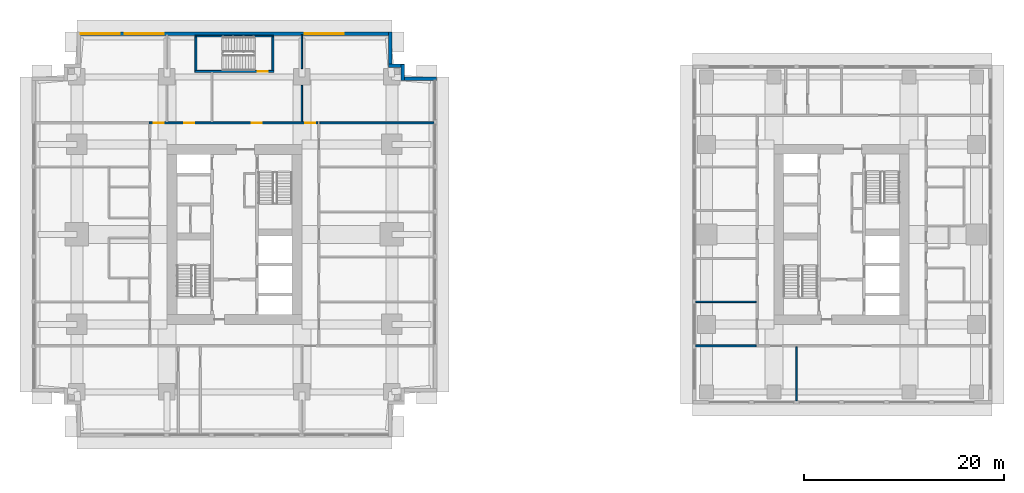
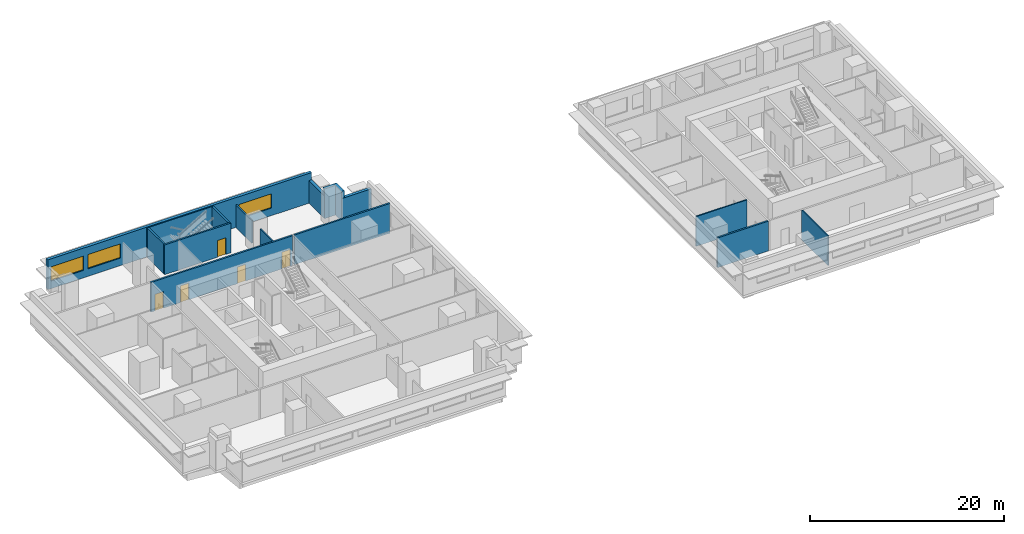
# One storey, part 5 of 11: 16 walls, 5 doors, 3 windows, 8 openings.
"""IFC4 building model written with IfcOpenShell, lengths in metres."""

from ifc_helpers import new_model, si_unit, direction, frame, frame_2d, origin, place, context, subcontext, project, spatial, rectangle, extrude, material, layer, layer_set, type_object, element, fill, save


model = new_model("IFC4")

# Units and contexts
model_context = context("Model", 3, precision=1e-05, world=origin(), true_north=direction((0.0, 1.0)))
body_context = subcontext(model_context, "Body", "Model", "MODEL_VIEW")
ifc_project = project(units=[si_unit("LENGTHUNIT", "METRE"), si_unit("AREAUNIT", "SQUARE_METRE"), si_unit("VOLUMEUNIT", "CUBIC_METRE"), si_unit("PLANEANGLEUNIT", "RADIAN"), si_unit("MASSUNIT", "GRAM", prefix="KILO")], contexts=[model_context])

# Site, building, storey
site_placement = place(None, origin())
site = spatial("IfcSite", under=ifc_project, at=site_placement, CompositionType="ELEMENT")
building_placement = place(site_placement, origin())
building = spatial("IfcBuilding", under=site, at=building_placement, Name="Namib Vertical Campus", CompositionType="ELEMENT")
storey_placement = place(building_placement, frame((0.0, 0.0, 181.0)))
storey = spatial("IfcBuildingStorey", under=building, at=storey_placement, Name="L42", CompositionType="ELEMENT", Elevation=181.0)

# Wall, openings, doors
ifc_material_1 = material(Name="Concrete masonry", Category="masonry")
ifc_layer_1 = layer(ifc_material_1, 0.199951171875)
ifc_layer_set_1 = layer_set([ifc_layer_1], Name="Corridor wall 200")
wall_type_1 = type_object("IfcWallType", Name="Corridor wall 200", PredefinedType="SOLIDWALL", material=ifc_layer_set_1)
wall_1_placement = place(storey_placement, frame((28.60009765625, 31.39990234375, 0.0), z_axis=(0.0, 0.0, 1.0), x_axis=(-1.0, 0.0, 0.0)))
wall_1 = element("IfcWall", 1, at=wall_1_placement, inside=storey, type_object=wall_type_1, Name="Corridor wall A L42 CN", PredefinedType="SOLIDWALL", context=body_context, shape_type="SweptSolid", body=[
    extrude(rectangle(XDim=16.900146484375, YDim=0.199951171875, at=frame_2d((8.4501953125, 0.0))), origin(), (0.0, 0.0, 1.0), 3.75),
])
opening_1_placement = place(wall_1_placement, frame((15.425048828125, 0.0, 0.0)))
opening_1 = element("IfcOpeningElement", 2, at=opening_1_placement, cuts=wall_1, Name="Opening CD1", PredefinedType="OPENING", context=body_context, shape_type="SweptSolid", body=[
    extrude(rectangle(XDim=1.0, YDim=2.10009765625, at=frame_2d((0.5, 1.050048828125))), frame((0.0, 0.10986328125, 0.0), z_axis=(0.0, -1.0, 0.0), x_axis=(1.0, 0.0, 0.0)), (0.0, 0.0, 1.0), 0.219970703125),
])
opening_2_placement = place(wall_1_placement, frame((12.35009765625, 0.0, 0.0)))
opening_2 = element("IfcOpeningElement", 3, at=opening_2_placement, cuts=wall_1, Name="Opening CD1", PredefinedType="OPENING", context=body_context, shape_type="SweptSolid", body=[
    extrude(rectangle(XDim=1.0, YDim=2.10009765625, at=frame_2d((0.5, 1.050048828125))), frame((0.0, 0.10986328125, 0.0), z_axis=(0.0, -1.0, 0.0), x_axis=(1.0, 0.0, 0.0)), (0.0, 0.0, 1.0), 0.219970703125),
])
opening_3_placement = place(wall_1_placement, frame((5.60009765625, 0.0, 0.0)))
opening_3 = element("IfcOpeningElement", 4, at=opening_3_placement, cuts=wall_1, Name="Opening CD4", PredefinedType="OPENING", context=body_context, shape_type="SweptSolid", body=[
    extrude(rectangle(XDim=1.0, YDim=2.10009765625, at=frame_2d((0.5, 1.050048828125))), frame((0.0, 0.10986328125, 0.0), z_axis=(0.0, -1.0, 0.0), x_axis=(1.0, 0.0, 0.0)), (0.0, 0.0, 1.0), 0.219970703125),
])
opening_4_placement = place(wall_1_placement, frame((0.27490234375, 0.0, 0.0)))
opening_4 = element("IfcOpeningElement", 5, at=opening_4_placement, cuts=wall_1, Name="Opening CD1", PredefinedType="OPENING", context=body_context, shape_type="SweptSolid", body=[
    extrude(rectangle(XDim=1.0, YDim=2.10009765625, at=frame_2d((0.5, 1.050048828125))), frame((0.0, 0.10986328125, 0.0), z_axis=(0.0, -1.0, 0.0), x_axis=(1.0, 0.0, 0.0)), (0.0, 0.0, 1.0), 0.219970703125),
])
ifc_material_2 = material(Name="Timber fire door leaf", Category="wood")
door_type_1 = type_object("IfcDoorType", Name="Corridor door 1000x2100 20 min", OperationType="SINGLE_SWING_LEFT", PredefinedType="DOOR", material=ifc_material_2)
door_1_placement = place(opening_1_placement, frame((1.0, 0.0, 0.0), z_axis=(0.0, 0.0, 1.0), x_axis=(-1.0, 0.0, 0.0)))
door_1 = element("IfcDoor", 6, at=door_1_placement, inside=storey, type_object=door_type_1, Name="Door CD1 A42-09", OperationType="SINGLE_SWING_RIGHT", OverallHeight=2.10009765625, OverallWidth=1.0, PredefinedType="DOOR", context=body_context, shape_type="SweptSolid", body=[
    extrude(rectangle(XDim=1.0, YDim=2.10009765625, at=frame_2d((0.5, 1.050048828125))), frame((0.0, 0.02490234375, 0.0), z_axis=(0.0, -1.0, 0.0), x_axis=(1.0, 0.0, 0.0)), (0.0, 0.0, 1.0), 0.050048828125),
])
fill(opening_1, door_1)
door_2_placement = place(opening_2_placement, frame((1.0, 0.0, 0.0), z_axis=(0.0, 0.0, 1.0), x_axis=(-1.0, 0.0, 0.0)))
door_2 = element("IfcDoor", 7, at=door_2_placement, inside=storey, type_object=door_type_1, Name="Door CD1 A42-10", OperationType="SINGLE_SWING_RIGHT", OverallHeight=2.10009765625, OverallWidth=1.0, PredefinedType="DOOR", context=body_context, shape_type="SweptSolid", body=[
    extrude(rectangle(XDim=1.0, YDim=2.10009765625, at=frame_2d((0.5, 1.050048828125))), frame((0.0, 0.02490234375, 0.0), z_axis=(0.0, -1.0, 0.0), x_axis=(1.0, 0.0, 0.0)), (0.0, 0.0, 1.0), 0.050048828125),
])
fill(opening_2, door_2)
door_3_placement = place(opening_4_placement, frame((1.0, 0.0, 0.0), z_axis=(0.0, 0.0, 1.0), x_axis=(-1.0, 0.0, 0.0)))
door_3 = element("IfcDoor", 8, at=door_3_placement, inside=storey, type_object=door_type_1, Name="Door CD1 A42-12", OperationType="SINGLE_SWING_LEFT", OverallHeight=2.10009765625, OverallWidth=1.0, PredefinedType="DOOR", context=body_context, shape_type="SweptSolid", body=[
    extrude(rectangle(XDim=1.0, YDim=2.10009765625, at=frame_2d((0.5, 1.050048828125))), frame((0.0, 0.02490234375, 0.0), z_axis=(0.0, -1.0, 0.0), x_axis=(1.0, 0.0, 0.0)), (0.0, 0.0, 1.0), 0.050048828125),
])
fill(opening_4, door_3)
ifc_material_3 = material(Name="Timber fire door leaf", Category="wood")
door_type_2 = type_object("IfcDoorType", Name="Corridor door 1000x2100 20 min double-acting", OperationType="DOUBLE_SWING_LEFT", PredefinedType="DOOR", material=ifc_material_3)
door_4_placement = place(opening_3_placement, origin())
door_4 = element("IfcDoor", 9, at=door_4_placement, inside=storey, type_object=door_type_2, Name="Door CD4 A42-11", OperationType="DOUBLE_SWING_LEFT", OverallHeight=2.10009765625, OverallWidth=1.0, PredefinedType="DOOR", context=body_context, shape_type="SweptSolid", body=[
    extrude(rectangle(XDim=1.0, YDim=2.10009765625, at=frame_2d((0.5, 1.050048828125))), frame((0.0, 0.02490234375, 0.0), z_axis=(0.0, -1.0, 0.0), x_axis=(1.0, 0.0, 0.0)), (0.0, 0.0, 1.0), 0.050048828125),
])
fill(opening_3, door_4)

# Walls
wall_2_placement = place(storey_placement, frame((28.800048828125, 31.39990234375, 0.0), z_axis=(0.0, 0.0, 1.0), x_axis=(1.0, 0.0, 0.0)))
element("IfcWall", 10, at=wall_2_placement, inside=storey, type_object=wall_type_1, Name="Partition A L42 BNE", PredefinedType="SOLIDWALL", context=body_context, shape_type="SweptSolid", body=[
    extrude(rectangle(XDim=11.39990234375, YDim=0.199951171875, at=frame_2d((5.699951171875, 0.0))), origin(), (0.0, 0.0, 1.0), 3.75),
])
wall_3_placement = place(storey_placement, frame((66.39990234375, 9.10009765625, 0.0), z_axis=(0.0, 0.0, 1.0), x_axis=(1.0, 0.0, 0.0)))
element("IfcWall", 11, at=wall_3_placement, inside=storey, type_object=wall_type_1, Name="Partition B L42 BSW", PredefinedType="SOLIDWALL", context=body_context, shape_type="SweptSolid", body=[
    extrude(rectangle(XDim=6.050048828125, YDim=0.199951171875, at=frame_2d((3.02490234375, 0.0))), origin(), (0.0, 0.0, 1.0), 3.75),
])
ifc_material_4 = material(Name="Concrete C40/50", Category="concrete")
ifc_layer_2 = layer(ifc_material_4, 0.35009765625)
ifc_layer_set_2 = layer_set([ifc_layer_2], Name="Concrete C40/50")
wall_type_2 = type_object("IfcWallType", Name="External wall 350 bush-hammered concrete", PredefinedType="STANDARD", material=ifc_layer_set_2)
wall_4_placement = place(storey_placement, frame((40.47998046875, 35.824951171875, 0.0), z_axis=(0.0, 0.0, 1.0), x_axis=(-1.0, 0.0, 0.0)))
element("IfcWall", 12, at=wall_4_placement, inside=storey, type_object=wall_type_2, Name="External wall L42 F07", PredefinedType="STANDARD", context=body_context, shape_type="SweptSolid", body=[
    extrude(rectangle(XDim=3.534912109375, YDim=0.35009765625, at=frame_2d((1.767578125, 0.0))), origin(), (0.0, 0.0, 1.0), 2.85009765625),
])
for number, where, z_axis, x_axis, name in (
    (13, (37.10009765625, 35.669921875, 0.0), (0.0, 0.0, 1.0), (0.0, 1.0, 0.0), "External wall L42 F08"),
    (14, (37.2548828125, 37.10009765625, 0.0), (0.0, 0.0, 1.0), (-1.0, 0.0, 0.0), "External wall L42 F09"),
):
    element("IfcWall", number, at=place(storey_placement, frame(where, z_axis=z_axis, x_axis=x_axis)), inside=storey, type_object=wall_type_2, Name=name, PredefinedType="STANDARD", context=body_context, shape_type="SweptSolid", body=[
        extrude(rectangle(XDim=1.5849609375, YDim=0.35009765625, at=frame_2d((0.79248046875, 0.0))), origin(), (0.0, 0.0, 1.0), 3.75),
    ])
wall_5_placement = place(storey_placement, frame((35.824951171875, 36.945068359375, 0.0), z_axis=(0.0, 0.0, 1.0), x_axis=(0.0, 1.0, 0.0)))
element("IfcWall", 15, at=wall_5_placement, inside=storey, type_object=wall_type_2, Name="External wall L42 F10", PredefinedType="STANDARD", context=body_context, shape_type="SweptSolid", body=[
    extrude(rectangle(XDim=3.534912109375, YDim=0.35009765625, at=frame_2d((1.767578125, 0.0))), origin(), (0.0, 0.0, 1.0), 2.85009765625),
])

# Wall, openings, windows
wall_6_placement = place(storey_placement, frame((35.97998046875, 40.324951171875, 0.0), z_axis=(0.0, 0.0, 1.0), x_axis=(-1.0, 0.0, 0.0)))
wall_6 = element("IfcWall", 16, at=wall_6_placement, inside=storey, type_object=wall_type_2, Name="External wall L42 F11", PredefinedType="STANDARD", context=body_context, shape_type="SweptSolid", body=[
    extrude(rectangle(XDim=31.4599609375, YDim=0.35009765625, at=frame_2d((15.72998046875, 0.0))), origin(), (0.0, 0.0, 1.0), 3.75),
])
opening_5_placement = place(wall_6_placement, frame((27.2099609375, 0.0, 0.949951171875)))
opening_5 = element("IfcOpeningElement", 17, at=opening_5_placement, cuts=wall_6, Name="Opening W3", PredefinedType="OPENING", context=body_context, shape_type="SweptSolid", body=[
    extrude(rectangle(XDim=3.89990234375, YDim=1.800048828125, at=frame_2d((1.949951171875, 0.89990234375))), frame((0.0, 0.18505859375, 0.0), z_axis=(0.0, -1.0, 0.0), x_axis=(1.0, 0.0, 0.0)), (0.0, 0.0, 1.0), 0.3701171875),
])
opening_6_placement = place(wall_6_placement, frame((22.780029296875, 0.0, 0.949951171875)))
opening_6 = element("IfcOpeningElement", 18, at=opening_6_placement, cuts=wall_6, Name="Opening W3", PredefinedType="OPENING", context=body_context, shape_type="SweptSolid", body=[
    extrude(rectangle(XDim=3.89990234375, YDim=1.800048828125, at=frame_2d((1.949951171875, 0.89990234375))), frame((0.0, 0.18505859375, 0.0), z_axis=(0.0, -1.0, 0.0), x_axis=(1.0, 0.0, 0.0)), (0.0, 0.0, 1.0), 0.3701171875),
])
opening_7_placement = place(wall_6_placement, frame((4.780029296875, 0.0, 0.949951171875)))
opening_7 = element("IfcOpeningElement", 19, at=opening_7_placement, cuts=wall_6, Name="Opening W3", PredefinedType="OPENING", context=body_context, shape_type="SweptSolid", body=[
    extrude(rectangle(XDim=3.89990234375, YDim=1.800048828125, at=frame_2d((1.949951171875, 0.89990234375))), frame((0.0, 0.18505859375, 0.0), z_axis=(0.0, -1.0, 0.0), x_axis=(1.0, 0.0, 0.0)), (0.0, 0.0, 1.0), 0.3701171875),
])
ifc_material_5 = material(Name="Dark tinted glass in black aluminium frame", Category="aluminium")
window_type = type_object("IfcWindowType", Name="Ribbon window 3900x1800", PartitioningType="SINGLE_PANEL", PredefinedType="WINDOW", material=ifc_material_5)
window_1_placement = place(opening_5_placement, origin())
window_1 = element("IfcWindow", 20, at=window_1_placement, inside=storey, type_object=window_type, Name="Window W3 L42 F11-1", OverallHeight=1.800048828125, OverallWidth=3.89990234375, PartitioningType="SINGLE_PANEL", PredefinedType="WINDOW", context=body_context, shape_type="SweptSolid", body=[
    extrude(rectangle(XDim=3.89990234375, YDim=1.800048828125, at=frame_2d((1.949951171875, 0.89990234375))), frame((0.0, 0.030029296875, 0.0), z_axis=(0.0, -1.0, 0.0), x_axis=(1.0, 0.0, 0.0)), (0.0, 0.0, 1.0), 0.06005859375),
])
fill(opening_5, window_1)
window_2_placement = place(opening_6_placement, origin())
window_2 = element("IfcWindow", 21, at=window_2_placement, inside=storey, type_object=window_type, Name="Window W3 L42 F11-2", OverallHeight=1.800048828125, OverallWidth=3.89990234375, PartitioningType="SINGLE_PANEL", PredefinedType="WINDOW", context=body_context, shape_type="SweptSolid", body=[
    extrude(rectangle(XDim=3.89990234375, YDim=1.800048828125, at=frame_2d((1.949951171875, 0.89990234375))), frame((0.0, 0.030029296875, 0.0), z_axis=(0.0, -1.0, 0.0), x_axis=(1.0, 0.0, 0.0)), (0.0, 0.0, 1.0), 0.06005859375),
])
fill(opening_6, window_2)
window_3_placement = place(opening_7_placement, origin())
window_3 = element("IfcWindow", 22, at=window_3_placement, inside=storey, type_object=window_type, Name="Window W3 L42 F11-6", OverallHeight=1.800048828125, OverallWidth=3.89990234375, PartitioningType="SINGLE_PANEL", PredefinedType="WINDOW", context=body_context, shape_type="SweptSolid", body=[
    extrude(rectangle(XDim=3.89990234375, YDim=1.800048828125, at=frame_2d((1.949951171875, 0.89990234375))), frame((0.0, 0.030029296875, 0.0), z_axis=(0.0, -1.0, 0.0), x_axis=(1.0, 0.0, 0.0)), (0.0, 0.0, 1.0), 0.06005859375),
])
fill(opening_7, window_3)

# Walls
ifc_material_6 = material(Name="Gypsum board on steel studs", Category="steel")
ifc_layer_3 = layer(ifc_material_6, 0.14990234375)
ifc_layer_set_3 = layer_set([ifc_layer_3], Name="Gypsum board on steel studs")
wall_type_3 = type_object("IfcWallType", Name="Partition 150", PredefinedType="PARTITIONING", material=ifc_layer_set_3)
wall_7_placement = place(storey_placement, frame((27.0, 31.5, 0.0), z_axis=(0.0, 0.0, 1.0), x_axis=(0.0, 1.0, 0.0)))
element("IfcWall", 23, at=wall_7_placement, inside=storey, type_object=wall_type_3, Name="Partition A L42 PN3", PredefinedType="PARTITIONING", context=body_context, shape_type="SweptSolid", body=[
    extrude(rectangle(XDim=3.655029296875, YDim=0.14990234375, at=frame_2d((1.82763671875, 0.0))), origin(), (0.0, 0.0, 1.0), 2.85009765625),
])
wall_8_placement = place(storey_placement, frame((27.0, 36.844970703125, 0.0), z_axis=(0.0, 0.0, 1.0), x_axis=(0.0, 1.0, 0.0)))
element("IfcWall", 24, at=wall_8_placement, inside=storey, type_object=wall_type_3, Name="Partition A L42 PN3", PredefinedType="PARTITIONING", context=body_context, shape_type="SweptSolid", body=[
    extrude(rectangle(XDim=3.35498046875, YDim=0.14990234375, at=frame_2d((1.677490234375, 0.0))), origin(), (0.0, 0.0, 1.0), 2.85009765625),
])
wall_9_placement = place(storey_placement, frame((76.5, 3.60009765625, 0.0), z_axis=(0.0, 0.0, 1.0), x_axis=(0.0, 1.0, 0.0)))
element("IfcWall", 25, at=wall_9_placement, inside=storey, type_object=wall_type_3, Name="Partition B L42 PS1", PredefinedType="PARTITIONING", context=body_context, shape_type="SweptSolid", body=[
    extrude(rectangle(XDim=5.39990234375, YDim=0.14990234375, at=frame_2d((2.699951171875, 0.0))), origin(), (0.0, 0.0, 1.0), 3.75),
])
wall_10_placement = place(storey_placement, frame((66.39990234375, 13.5, 0.0), z_axis=(0.0, 0.0, 1.0), x_axis=(1.0, 0.0, 0.0)))
element("IfcWall", 26, at=wall_10_placement, inside=storey, type_object=wall_type_3, Name="Partition B L42 PW1", PredefinedType="PARTITIONING", context=body_context, shape_type="SweptSolid", body=[
    extrude(rectangle(XDim=6.050048828125, YDim=0.14990234375, at=frame_2d((3.02490234375, 0.0))), origin(), (0.0, 0.0, 1.0), 3.75),
])
ifc_material_7 = material(Name="Concrete C40/50", Category="concrete")
ifc_layer_4 = layer(ifc_material_7, 0.14990234375)
ifc_layer_set_4 = layer_set([ifc_layer_4], Name="Concrete C40/50")
wall_type_4 = type_object("IfcWallType", Name="Stair enclosure wall RC 150", PredefinedType="SOLIDWALL", material=ifc_layer_set_4)
wall_11_placement = place(storey_placement, frame((16.300048828125, 40.074951171875, 0.0), z_axis=(0.0, 0.0, 1.0), x_axis=(1.0, 0.0, 0.0)))
element("IfcWall", 27, at=wall_11_placement, inside=storey, type_object=wall_type_4, Name="Stair enclosure wall A-S3 L42 N", PredefinedType="SOLIDWALL", context=body_context, shape_type="SweptSolid", body=[
    extrude(rectangle(XDim=7.89990234375, YDim=0.14990234375, at=frame_2d((3.949951171875, 0.0))), origin(), (0.0, 0.0, 1.0), 3.75),
])

# Wall, opening, door
ifc_material_8 = material(Name="Concrete C40/50", Category="concrete")
ifc_layer_5 = layer(ifc_material_8, 0.199951171875)
ifc_layer_set_5 = layer_set([ifc_layer_5], Name="Concrete C40/50")
wall_type_5 = type_object("IfcWallType", Name="Stair enclosure wall RC 200", PredefinedType="SOLIDWALL", material=ifc_layer_set_5)
wall_12_placement = place(storey_placement, frame((16.300048828125, 36.550048828125, 0.0), z_axis=(0.0, 0.0, 1.0), x_axis=(1.0, 0.0, 0.0)))
wall_12 = element("IfcWall", 28, at=wall_12_placement, inside=storey, type_object=wall_type_5, Name="Stair enclosure wall A-S3 L42 S", PredefinedType="SOLIDWALL", context=body_context, shape_type="SweptSolid", body=[
    extrude(rectangle(XDim=7.89990234375, YDim=0.199951171875, at=frame_2d((3.949951171875, 0.0))), origin(), (0.0, 0.0, 1.0), 3.75),
])
opening_8_placement = place(wall_12_placement, frame((6.300048828125, 0.0, 0.0)))
opening_8 = element("IfcOpeningElement", 29, at=opening_8_placement, cuts=wall_12, Name="Opening FD1", PredefinedType="OPENING", context=body_context, shape_type="SweptSolid", body=[
    extrude(rectangle(XDim=1.0, YDim=2.10009765625, at=frame_2d((0.5, 1.050048828125))), frame((0.0, 0.10986328125, 0.0), z_axis=(0.0, -1.0, 0.0), x_axis=(1.0, 0.0, 0.0)), (0.0, 0.0, 1.0), 0.219970703125),
])
ifc_material_9 = material(Name="Steel fire door", Category="steel")
door_type_3 = type_object("IfcDoorType", Name="Fire door 1000x2100", OperationType="SINGLE_SWING_RIGHT", PredefinedType="DOOR", material=ifc_material_9)
door_5_placement = place(opening_8_placement, origin())
door_5 = element("IfcDoor", 30, at=door_5_placement, inside=storey, type_object=door_type_3, Name="Stair door FD1 A L42 S3", OperationType="SINGLE_SWING_RIGHT", OverallHeight=2.10009765625, OverallWidth=1.0, PredefinedType="DOOR", context=body_context, shape_type="SweptSolid", body=[
    extrude(rectangle(XDim=1.0, YDim=2.10009765625, at=frame_2d((0.5, 1.050048828125))), frame((0.0, 0.02490234375, 0.0), z_axis=(0.0, -1.0, 0.0), x_axis=(1.0, 0.0, 0.0)), (0.0, 0.0, 1.0), 0.050048828125),
])
fill(opening_8, door_5)

# Walls
for number, where, z_axis, x_axis, name in (
    (31, (16.39990234375, 36.64990234375, 0.0), (0.0, 0.0, 1.0), (0.0, 1.0, 0.0), "Stair enclosure wall A-S3 L42 W"),
    (32, (24.10009765625, 36.64990234375, 0.0), (0.0, 0.0, 1.0), (0.0, 1.0, 0.0), "Stair enclosure wall A-S3 L42 E"),
):
    element("IfcWall", number, at=place(storey_placement, frame(where, z_axis=z_axis, x_axis=x_axis)), inside=storey, type_object=wall_type_5, Name=name, PredefinedType="SOLIDWALL", context=body_context, shape_type="SweptSolid", body=[
        extrude(rectangle(XDim=3.35009765625, YDim=0.199951171875, at=frame_2d((1.675048828125, 0.0))), origin(), (0.0, 0.0, 1.0), 3.75),
    ])

save(model, "model.ifc")
